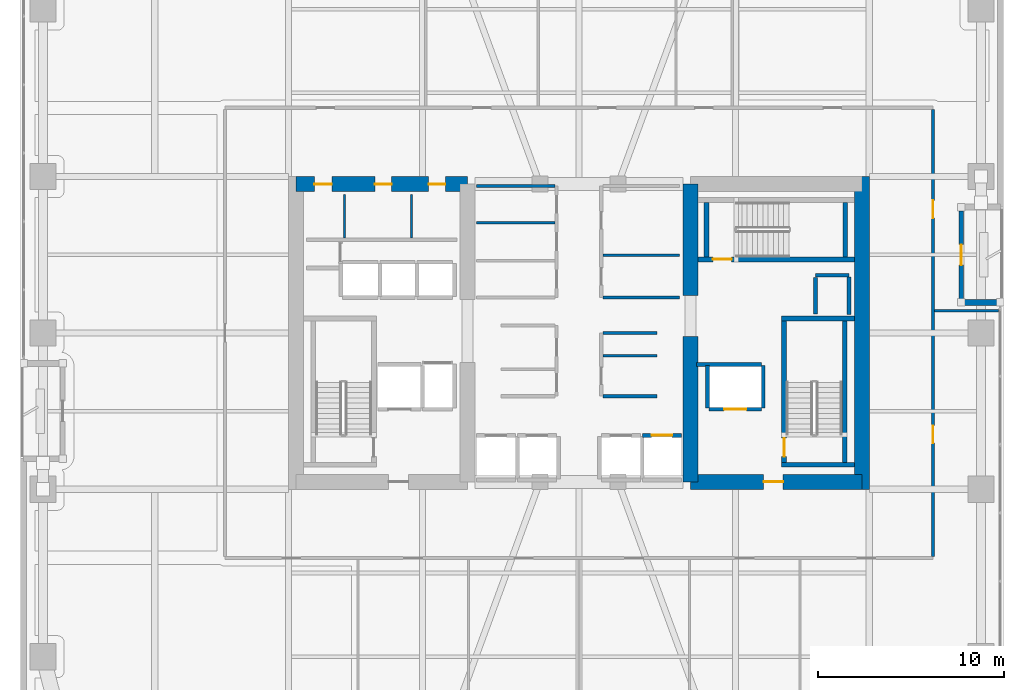
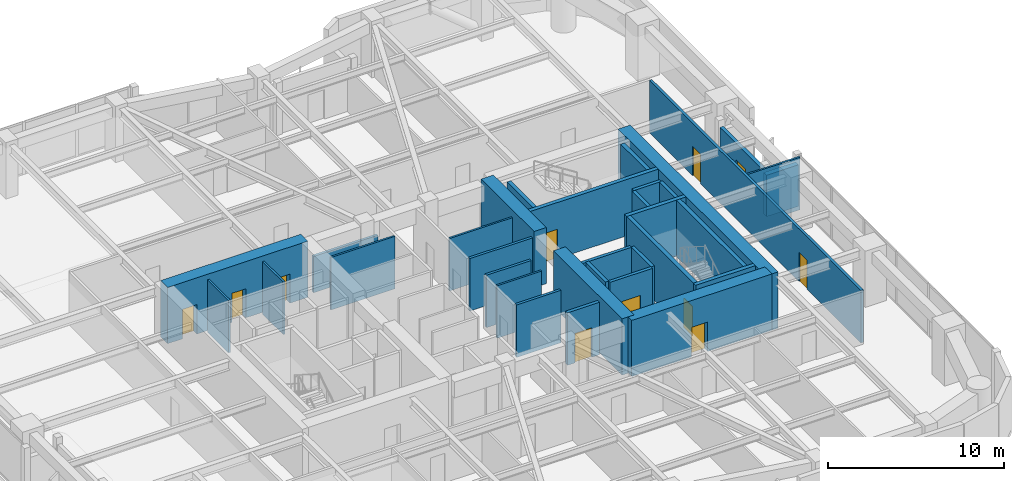
# One storey, part 20 of 24: 33 walls, 11 doors, 11 openings.
"""IFC4 building model written with IfcOpenShell, lengths in metres."""

from ifc_helpers import new_model, si_unit, direction, frame, frame_2d, origin, place, context, subcontext, project, spatial, rectangle, extrude, material, layer, layer_set, type_object, element, fill, save


model = new_model("IFC4")

# Units and contexts
model_context = context("Model", 3, precision=1e-05, world=origin(), true_north=direction((0.0, 1.0)))
body_context = subcontext(model_context, "Body", "Model", "MODEL_VIEW")
ifc_project = project(units=[si_unit("LENGTHUNIT", "METRE"), si_unit("AREAUNIT", "SQUARE_METRE"), si_unit("VOLUMEUNIT", "CUBIC_METRE"), si_unit("PLANEANGLEUNIT", "RADIAN"), si_unit("MASSUNIT", "GRAM", prefix="KILO")], contexts=[model_context])

# Site, building, storey
site_placement = place(None, origin())
site = spatial("IfcSite", under=ifc_project, at=site_placement, CompositionType="ELEMENT")
building_placement = place(site_placement, origin())
building = spatial("IfcBuilding", under=site, at=building_placement, Name="Kiyonajd Concourse Tower", CompositionType="ELEMENT")
storey_placement = place(building_placement, frame((0.0, 0.0, 97.5)))
storey = spatial("IfcBuildingStorey", under=building, at=storey_placement, Name="L25", CompositionType="ELEMENT", Elevation=97.5)

# Wall, openings, doors
ifc_material_1 = material(Name="Concrete C70/85", Category="concrete")
ifc_layer_1 = layer(ifc_material_1, 0.800048828125)
ifc_layer_set_1 = layer_set([ifc_layer_1], Name="Concrete C70/85")
wall_type_1 = type_object("IfcWallType", Name="WL-CORE-800", PredefinedType="SHEAR", material=ifc_layer_set_1)
wall_1_placement = place(storey_placement, frame((32.800048828125, 44.0, 0.0), z_axis=(0.0, 0.0, 1.0), x_axis=(1.0, 0.0, 0.0)))
wall_1 = element("IfcWall", 1, at=wall_1_placement, inside=storey, type_object=wall_type_1, Name="L25 West Core North Shear Wall", PredefinedType="SHEAR", context=body_context, shape_type="SweptSolid", body=[
    extrude(rectangle(XDim=9.199951171875, YDim=0.800048828125, at=frame_2d((4.60009765625, 0.0))), origin(), (0.0, 0.0, 1.0), 3.89990234375),
])
opening_1_placement = place(wall_1_placement, frame((0.97509765625, 0.0, 0.0)))
opening_1 = element("IfcOpeningElement", 2, at=opening_1_placement, cuts=wall_1, Name="Opening DI1", PredefinedType="OPENING", context=body_context, shape_type="SweptSolid", body=[
    extrude(rectangle(XDim=0.949951171875, YDim=2.0400390625, at=frame_2d((0.47509765625, 1.02001953125))), frame((0.0, 0.409912109375, 0.0), z_axis=(0.0, -1.0, 0.0), x_axis=(1.0, 0.0, 0.0)), (0.0, 0.0, 1.0), 0.820068359375),
])
opening_2_placement = place(wall_1_placement, frame((4.22509765625, 0.0, 0.0)))
opening_2 = element("IfcOpeningElement", 3, at=opening_2_placement, cuts=wall_1, Name="Opening DI2", PredefinedType="OPENING", context=body_context, shape_type="SweptSolid", body=[
    extrude(rectangle(XDim=0.89990234375, YDim=2.02001953125, at=frame_2d((0.449951171875, 1.010009765625))), frame((0.0, 0.409912109375, 0.0), z_axis=(0.0, -1.0, 0.0), x_axis=(1.0, 0.0, 0.0)), (0.0, 0.0, 1.0), 0.820068359375),
])
opening_3_placement = place(wall_1_placement, frame((7.125, 0.0, 0.0)))
opening_3 = element("IfcOpeningElement", 4, at=opening_3_placement, cuts=wall_1, Name="Opening DI2", PredefinedType="OPENING", context=body_context, shape_type="SweptSolid", body=[
    extrude(rectangle(XDim=0.89990234375, YDim=2.02001953125, at=frame_2d((0.449951171875, 1.010009765625))), frame((0.0, 0.409912109375, 0.0), z_axis=(0.0, -1.0, 0.0), x_axis=(1.0, 0.0, 0.0)), (0.0, 0.0, 1.0), 0.820068359375),
])
ifc_material_2 = material(Name="Natural Oak Acoustic Timber Veneer", Category="wood")
door_type_1 = type_object("IfcDoorType", Name="DR-INT-900", OperationType="NOTDEFINED", PredefinedType="DOOR", material=ifc_material_2)
door_1_placement = place(opening_2_placement, origin())
door_1 = element("IfcDoor", 5, at=door_1_placement, inside=storey, type_object=door_type_1, Name="L25 Male Restroom Door", OperationType="SINGLE_SWING_RIGHT", OverallHeight=2.02001953125, OverallWidth=0.89990234375, PredefinedType="DOOR", context=body_context, shape_type="SweptSolid", body=[
    extrude(rectangle(XDim=0.89990234375, YDim=2.02001953125, at=frame_2d((0.449951171875, 1.010009765625))), frame((0.0, 0.02490234375, 0.0), z_axis=(0.0, -1.0, 0.0), x_axis=(1.0, 0.0, 0.0)), (0.0, 0.0, 1.0), 0.050048828125),
])
fill(opening_2, door_1)
door_2_placement = place(opening_3_placement, origin())
door_2 = element("IfcDoor", 6, at=door_2_placement, inside=storey, type_object=door_type_1, Name="L25 Female Restroom Door", OperationType="SINGLE_SWING_LEFT", OverallHeight=2.02001953125, OverallWidth=0.89990234375, PredefinedType="DOOR", context=body_context, shape_type="SweptSolid", body=[
    extrude(rectangle(XDim=0.89990234375, YDim=2.02001953125, at=frame_2d((0.449951171875, 1.010009765625))), frame((0.0, 0.02490234375, 0.0), z_axis=(0.0, -1.0, 0.0), x_axis=(1.0, 0.0, 0.0)), (0.0, 0.0, 1.0), 0.050048828125),
])
fill(opening_3, door_2)
door_type_2 = type_object("IfcDoorType", Name="DR-INT-950", OperationType="NOTDEFINED", PredefinedType="DOOR", material=ifc_material_2)
door_3_placement = place(opening_1_placement, origin())
door_3 = element("IfcDoor", 7, at=door_3_placement, inside=storey, type_object=door_type_2, Name="L25 Single User Accessible WC Door", OperationType="SINGLE_SWING_LEFT", OverallHeight=2.0400390625, OverallWidth=0.949951171875, PredefinedType="DOOR", context=body_context, shape_type="SweptSolid", body=[
    extrude(rectangle(XDim=0.949951171875, YDim=2.0400390625, at=frame_2d((0.47509765625, 1.02001953125))), frame((0.0, 0.02490234375, 0.0), z_axis=(0.0, -1.0, 0.0), x_axis=(1.0, 0.0, 0.0)), (0.0, 0.0, 1.0), 0.050048828125),
])
fill(opening_1, door_3)

# Walls
wall_2_placement = place(storey_placement, frame((54.0, 28.0, 0.0), z_axis=(0.0, 0.0, 1.0), x_axis=(0.0, 1.0, 0.0)))
element("IfcWall", 8, at=wall_2_placement, inside=storey, type_object=wall_type_1, Name="L25 East Core Inner South Shear Wall", PredefinedType="SHEAR", context=body_context, shape_type="SweptSolid", body=[
    extrude(rectangle(XDim=7.800048828125, YDim=0.800048828125, at=frame_2d((3.89990234375, 0.0))), origin(), (0.0, 0.0, 1.0), 3.89990234375),
])
wall_3_placement = place(storey_placement, frame((54.0, 38.0, 0.0), z_axis=(0.0, 0.0, 1.0), x_axis=(0.0, 1.0, 0.0)))
element("IfcWall", 9, at=wall_3_placement, inside=storey, type_object=wall_type_1, Name="L25 East Core Inner North Shear Wall", PredefinedType="SHEAR", context=body_context, shape_type="SweptSolid", body=[
    extrude(rectangle(XDim=6.0, YDim=0.800048828125, at=frame_2d((3.0, 0.0))), origin(), (0.0, 0.0, 1.0), 3.89990234375),
])
wall_4_placement = place(storey_placement, frame((63.199951171875, 27.60009765625, 0.0), z_axis=(0.0, 0.0, 1.0), x_axis=(0.0, 1.0, 0.0)))
element("IfcWall", 10, at=wall_4_placement, inside=storey, type_object=wall_type_1, Name="L25 East Core Outer Shear Wall", PredefinedType="SHEAR", context=body_context, shape_type="SweptSolid", body=[
    extrude(rectangle(XDim=16.7998046875, YDim=0.800048828125, at=frame_2d((8.39990234375, 0.0))), origin(), (0.0, 0.0, 1.0), 3.89990234375),
])

# Wall, opening, door
wall_5_placement = place(storey_placement, frame((54.0, 28.0, 0.0), z_axis=(0.0, 0.0, 1.0), x_axis=(1.0, 0.0, 0.0)))
wall_5 = element("IfcWall", 11, at=wall_5_placement, inside=storey, type_object=wall_type_1, Name="L25 East Core South Shear Wall", PredefinedType="SHEAR", context=body_context, shape_type="SweptSolid", body=[
    extrude(rectangle(XDim=9.199951171875, YDim=0.800048828125, at=frame_2d((4.60009765625, 0.0))), origin(), (0.0, 0.0, 1.0), 3.89990234375),
])
opening_4_placement = place(wall_5_placement, frame((3.925048828125, 0.0, 0.0)))
opening_4 = element("IfcOpeningElement", 12, at=opening_4_placement, cuts=wall_5, Name="Opening DF5", PredefinedType="OPENING", context=body_context, shape_type="SweptSolid", body=[
    extrude(rectangle(XDim=1.050048828125, YDim=2.0400390625, at=frame_2d((0.52490234375, 1.02001953125))), frame((0.0, 0.409912109375, 0.0), z_axis=(0.0, -1.0, 0.0), x_axis=(1.0, 0.0, 0.0)), (0.0, 0.0, 1.0), 0.820068359375),
])
ifc_material_3 = material(Name="Brushed Stainless Steel Cab Assembly", Category="steel")
door_type_3 = type_object("IfcDoorType", Name="DR-FD45-1050", OperationType="NOTDEFINED", PredefinedType="DOOR", material=ifc_material_3)
door_4_placement = place(opening_4_placement, origin())
door_4 = element("IfcDoor", 13, at=door_4_placement, inside=storey, type_object=door_type_3, Name="L25 Firefighting Lift Lobby E Smoke Door", OperationType="SINGLE_SWING_RIGHT", OverallHeight=2.0400390625, OverallWidth=1.050048828125, PredefinedType="DOOR", context=body_context, shape_type="SweptSolid", body=[
    extrude(rectangle(XDim=1.050048828125, YDim=2.0400390625, at=frame_2d((0.52490234375, 1.02001953125))), frame((0.0, 0.02490234375, 0.0), z_axis=(0.0, -1.0, 0.0), x_axis=(1.0, 0.0, 0.0)), (0.0, 0.0, 1.0), 0.050048828125),
])
fill(opening_4, door_4)

# Wall
ifc_material_4 = material(Name="Precast concrete C50/60", Category="concrete")
ifc_layer_2 = layer(ifc_material_4, 0.320068359375)
ifc_layer_set_2 = layer_set([ifc_layer_2], Name="Precast concrete C50/60")
wall_type_2 = type_object("IfcWallType", Name="WL-EXT-320", PredefinedType="SOLIDWALL", material=ifc_layer_set_2)
wall_6_placement = place(storey_placement, frame((68.5400390625, 37.639892578125, 0.0), z_axis=(0.0, 0.0, 1.0), x_axis=(1.0, 0.0, 0.0)))
element("IfcWall", 14, at=wall_6_placement, inside=storey, type_object=wall_type_2, Name="L25 Exterior Concrete Frame Wall 23", PredefinedType="SOLIDWALL", context=body_context, shape_type="SweptSolid", body=[
    extrude(rectangle(XDim=2.099853515625, YDim=0.320068359375, at=frame_2d((1.0498046875, 0.0))), origin(), (0.0, 0.0, 1.0), 2.875),
])

# Wall, opening, door
ifc_layer_3 = layer(ifc_material_4, 0.239990234375)
ifc_layer_set_3 = layer_set([ifc_layer_3], Name="Precast concrete C50/60")
wall_type_3 = type_object("IfcWallType", Name="WL-LOG-240", PredefinedType="SOLIDWALL", material=ifc_layer_set_3)
wall_7_placement = place(storey_placement, frame((68.5400390625, 42.56494140625, 0.0), z_axis=(0.0, 0.0, 1.0), x_axis=(0.0, -1.0, 0.0)))
wall_7 = element("IfcWall", 15, at=wall_7_placement, inside=storey, type_object=wall_type_3, Name="L25 Recessed Loggia Thermal Wall LOG-E", PredefinedType="SOLIDWALL", context=body_context, shape_type="SweptSolid", body=[
    extrude(rectangle(XDim=4.72998046875, YDim=0.239990234375, at=frame_2d((2.364990234375, 0.0))), origin(), (0.0, 0.0, 1.0), 3.162109375),
])
opening_5_placement = place(wall_7_placement, frame((1.81494140625, 0.0, 0.0)))
opening_5 = element("IfcOpeningElement", 16, at=opening_5_placement, cuts=wall_7, Name="Opening DL2", PredefinedType="OPENING", context=body_context, shape_type="SweptSolid", body=[
    extrude(rectangle(XDim=1.10009765625, YDim=2.0400390625, at=frame_2d((0.550048828125, 1.02001953125))), frame((0.0, 0.1298828125, 0.0), z_axis=(0.0, -1.0, 0.0), x_axis=(1.0, 0.0, 0.0)), (0.0, 0.0, 1.0), 0.260009765625),
])
ifc_material_5 = material(Name="Thermally Broken Anodised Aluminium", Category="aluminium")
door_type_4 = type_object("IfcDoorType", Name="DR-LOG-1100", OperationType="NOTDEFINED", PredefinedType="DOOR", material=ifc_material_5)
door_5_placement = place(opening_5_placement, origin())
door_5 = element("IfcDoor", 17, at=door_5_placement, inside=storey, type_object=door_type_4, Name="L25 Engawa Loggia Access Door LOG-E", OperationType="SINGLE_SWING_LEFT", OverallHeight=2.0400390625, OverallWidth=1.10009765625, PredefinedType="DOOR", context=body_context, shape_type="SweptSolid", body=[
    extrude(rectangle(XDim=1.10009765625, YDim=2.0400390625, at=frame_2d((0.550048828125, 1.02001953125))), frame((0.0, 0.02490234375, 0.0), z_axis=(0.0, -1.0, 0.0), x_axis=(1.0, 0.0, 0.0)), (0.0, 0.0, 1.0), 0.050048828125),
])
fill(opening_5, door_5)

# Walls
ifc_material_6 = material(Name="Gypsum Board on Cold-Formed Steel Stud", Category="steel")
ifc_layer_4 = layer(ifc_material_6, 0.125)
ifc_layer_set_4 = layer_set([ifc_layer_4], Name="Gypsum Board on Cold-Formed Steel Stud")
wall_type_4 = type_object("IfcWallType", Name="WL-PART-125", PredefinedType="PARTITIONING", material=ifc_layer_set_4)
for number, where, z_axis, x_axis, name in (
    (18, (35.39990234375, 41.094970703125, 0.0), (0.0, 0.0, 1.0), (0.0, 1.0, 0.0), "L25 Interior Partition Wall"),
    (19, (39.0, 41.094970703125, 0.0), (0.0, 0.0, 1.0), (0.0, 1.0, 0.0), "L25 Interior Partition Wall"),
):
    element("IfcWall", number, at=place(storey_placement, frame(where, z_axis=z_axis, x_axis=x_axis)), inside=storey, type_object=wall_type_4, Name=name, PredefinedType="PARTITIONING", context=body_context, shape_type="SweptSolid", body=[
        extrude(rectangle(XDim=2.35498046875, YDim=0.125, at=frame_2d((1.177490234375, 0.0))), origin(), (0.0, 0.0, 1.0), 3.639892578125),
    ])
wall_8_placement = place(storey_placement, frame((49.287109375, 34.77587890625, 0.0), z_axis=(0.0, 0.0, 1.0), x_axis=(1.0, 0.0, 0.0)))
element("IfcWall", 20, at=wall_8_placement, inside=storey, type_object=wall_type_4, Name="L25 Interior Partition Wall", PredefinedType="PARTITIONING", context=body_context, shape_type="SweptSolid", body=[
    extrude(rectangle(XDim=2.912841796875, YDim=0.125, at=frame_2d((1.45654296875, 0.0))), origin(), (0.0, 0.0, 1.0), 3.639892578125),
])
wall_9_placement = place(storey_placement, frame((42.5, 41.919921875, 0.0), z_axis=(0.0, 0.0, 1.0), x_axis=(1.0, 0.0, 0.0)))
element("IfcWall", 21, at=wall_9_placement, inside=storey, type_object=wall_type_4, Name="L25 Interior Partition Wall", PredefinedType="PARTITIONING", context=body_context, shape_type="SweptSolid", body=[
    extrude(rectangle(XDim=4.212890625, YDim=0.125, at=frame_2d((2.1064453125, 0.0))), origin(), (0.0, 0.0, 1.0), 3.639892578125),
])
wall_10_placement = place(storey_placement, frame((49.287109375, 40.179931640625, 0.0), z_axis=(0.0, 0.0, 1.0), x_axis=(1.0, 0.0, 0.0)))
element("IfcWall", 22, at=wall_10_placement, inside=storey, type_object=wall_type_4, Name="L25 Interior Partition Wall", PredefinedType="PARTITIONING", context=body_context, shape_type="SweptSolid", body=[
    extrude(rectangle(XDim=4.11279296875, YDim=0.125, at=frame_2d((2.056396484375, 0.0))), origin(), (0.0, 0.0, 1.0), 3.639892578125),
])
wall_11_placement = place(storey_placement, frame((67.112060546875, 37.199951171875, 0.0), z_axis=(0.0, 0.0, 1.0), x_axis=(1.0, 0.0, 0.0)))
element("IfcWall", 23, at=wall_11_placement, inside=storey, type_object=wall_type_4, Name="L25 Interior Partition Wall", PredefinedType="PARTITIONING", context=body_context, shape_type="SweptSolid", body=[
    extrude(rectangle(XDim=3.44287109375, YDim=0.125, at=frame_2d((1.721435546875, 0.0))), origin(), (0.0, 0.0, 1.0), 3.639892578125),
])
ifc_layer_5 = layer(ifc_material_6, 0.2099609375)
ifc_layer_set_5 = layer_set([ifc_layer_5], Name="Gypsum Board on Cold-Formed Steel Stud")
wall_type_5 = type_object("IfcWallType", Name="WL-SHAFT-210", PredefinedType="PARTITIONING", material=ifc_layer_set_5)
wall_12_placement = place(storey_placement, frame((60.719970703125, 39.10009765625, 0.0), z_axis=(0.0, 0.0, 1.0), x_axis=(1.0, 0.0, 0.0)))
element("IfcWall", 24, at=wall_12_placement, inside=storey, type_object=wall_type_5, Name="L25 Shaft Enclosure Wall", PredefinedType="PARTITIONING", context=body_context, shape_type="SweptSolid", body=[
    extrude(rectangle(XDim=1.800048828125, YDim=0.2099609375, at=frame_2d((0.89990234375, 0.0))), origin(), (0.0, 0.0, 1.0), 3.639892578125),
])
wall_13_placement = place(storey_placement, frame((60.699951171875, 37.02001953125, 0.0), z_axis=(0.0, 0.0, 1.0), x_axis=(0.0, 1.0, 0.0)))
element("IfcWall", 25, at=wall_13_placement, inside=storey, type_object=wall_type_5, Name="L25 Shaft Enclosure Wall", PredefinedType="PARTITIONING", context=body_context, shape_type="SweptSolid", body=[
    extrude(rectangle(XDim=1.9599609375, YDim=0.2099609375, at=frame_2d((0.97998046875, 0.0))), origin(), (0.0, 0.0, 1.0), 3.639892578125),
])
wall_14_placement = place(storey_placement, frame((62.5, 36.97998046875, 0.0), z_axis=(0.0, 0.0, 1.0), x_axis=(0.0, 1.0, 0.0)))
element("IfcWall", 26, at=wall_14_placement, inside=storey, type_object=wall_type_5, Name="L25 Shaft Enclosure Wall", PredefinedType="PARTITIONING", context=body_context, shape_type="SweptSolid", body=[
    extrude(rectangle(XDim=2.0400390625, YDim=0.2099609375, at=frame_2d((1.02001953125, 0.0))), origin(), (0.0, 0.0, 1.0), 3.639892578125),
])

# Wall, opening, door
wall_15_placement = place(storey_placement, frame((55.0, 31.89990234375, 0.0), z_axis=(0.0, 0.0, 1.0), x_axis=(1.0, 0.0, 0.0)))
wall_15 = element("IfcWall", 27, at=wall_15_placement, inside=storey, type_object=wall_type_5, Name="L25 Shaft Enclosure Wall", PredefinedType="PARTITIONING", context=body_context, shape_type="SweptSolid", body=[
    extrude(rectangle(XDim=2.800048828125, YDim=0.2099609375, at=frame_2d((1.39990234375, 0.0))), origin(), (0.0, 0.0, 1.0), 3.639892578125),
])
opening_6_placement = place(wall_15_placement, frame((0.800048828125, 0.0, 0.0)))
opening_6 = element("IfcOpeningElement", 28, at=opening_6_placement, cuts=wall_15, Name="Opening LD2", PredefinedType="OPENING", context=body_context, shape_type="SweptSolid", body=[
    extrude(rectangle(XDim=1.199951171875, YDim=2.0400390625, at=frame_2d((0.60009765625, 1.02001953125))), frame((0.0, 0.114990234375, 0.0), z_axis=(0.0, -1.0, 0.0), x_axis=(1.0, 0.0, 0.0)), (0.0, 0.0, 1.0), 0.22998046875),
])
door_type_5 = type_object("IfcDoorType", Name="DR-LD-1200", OperationType="DOUBLE_DOOR_SLIDING", PredefinedType="DOOR", material=ifc_material_3)
door_6_placement = place(opening_6_placement, origin())
door_6 = element("IfcDoor", 29, at=door_6_placement, inside=storey, type_object=door_type_5, Name="L25 Lift FFL2 Sliding Landing Door", OperationType="DOUBLE_DOOR_SLIDING", OverallHeight=2.0400390625, OverallWidth=1.199951171875, PredefinedType="DOOR", context=body_context, shape_type="SweptSolid", body=[
    extrude(rectangle(XDim=1.199951171875, YDim=2.0400390625, at=frame_2d((0.60009765625, 1.02001953125))), frame((0.0, 0.02490234375, 0.0), z_axis=(0.0, -1.0, 0.0), x_axis=(1.0, 0.0, 0.0)), (0.0, 0.0, 1.0), 0.050048828125),
])
fill(opening_6, door_6)

# Walls
wall_16_placement = place(storey_placement, frame((54.320068359375, 34.300048828125, 0.0), z_axis=(0.0, 0.0, 1.0), x_axis=(1.0, 0.0, 0.0)))
element("IfcWall", 30, at=wall_16_placement, inside=storey, type_object=wall_type_5, Name="L25 Shaft Enclosure Wall", PredefinedType="PARTITIONING", context=body_context, shape_type="SweptSolid", body=[
    extrude(rectangle(XDim=3.47998046875, YDim=0.2099609375, at=frame_2d((1.739990234375, 0.0))), origin(), (0.0, 0.0, 1.0), 3.639892578125),
])
for number, where, z_axis, x_axis, name in (
    (31, (54.89990234375, 31.9599609375, 0.0), (0.0, 0.0, 1.0), (0.0, 1.0, 0.0), "L25 Shaft Enclosure Wall"),
    (32, (57.89990234375, 31.9599609375, 0.0), (0.0, 0.0, 1.0), (0.0, 1.0, 0.0), "L25 Shaft Enclosure Wall"),
):
    element("IfcWall", number, at=place(storey_placement, frame(where, z_axis=z_axis, x_axis=x_axis)), inside=storey, type_object=wall_type_5, Name=name, PredefinedType="PARTITIONING", context=body_context, shape_type="SweptSolid", body=[
        extrude(rectangle(XDim=2.280029296875, YDim=0.2099609375, at=frame_2d((1.14013671875, 0.0))), origin(), (0.0, 0.0, 1.0), 3.639892578125),
    ])

# Wall, opening, door
wall_17_placement = place(storey_placement, frame((51.39990234375, 30.5, 0.0), z_axis=(0.0, 0.0, 1.0), x_axis=(1.0, 0.0, 0.0)))
wall_17 = element("IfcWall", 33, at=wall_17_placement, inside=storey, type_object=wall_type_5, Name="L25 Shaft Enclosure Wall", PredefinedType="PARTITIONING", context=body_context, shape_type="SweptSolid", body=[
    extrude(rectangle(XDim=2.10009765625, YDim=0.2099609375, at=frame_2d((1.050048828125, 0.0))), origin(), (0.0, 0.0, 1.0), 3.639892578125),
])
opening_7_placement = place(wall_17_placement, frame((0.5, 0.0, 0.0)))
opening_7 = element("IfcOpeningElement", 34, at=opening_7_placement, cuts=wall_17, Name="Opening LD1", PredefinedType="OPENING", context=body_context, shape_type="SweptSolid", body=[
    extrude(rectangle(XDim=1.10009765625, YDim=2.0400390625, at=frame_2d((0.550048828125, 1.02001953125))), frame((0.0, 0.114990234375, 0.0), z_axis=(0.0, -1.0, 0.0), x_axis=(1.0, 0.0, 0.0)), (0.0, 0.0, 1.0), 0.22998046875),
])
door_type_6 = type_object("IfcDoorType", Name="DR-LD-1100", OperationType="DOUBLE_DOOR_SLIDING", PredefinedType="DOOR", material=ifc_material_3)
door_7_placement = place(opening_7_placement, origin())
door_7 = element("IfcDoor", 35, at=door_7_placement, inside=storey, type_object=door_type_6, Name="L25 Lift PL-L4 Sliding Landing Door", OperationType="DOUBLE_DOOR_SLIDING", OverallHeight=2.0400390625, OverallWidth=1.10009765625, PredefinedType="DOOR", context=body_context, shape_type="SweptSolid", body=[
    extrude(rectangle(XDim=1.10009765625, YDim=2.0400390625, at=frame_2d((0.550048828125, 1.02001953125))), frame((0.0, 0.02490234375, 0.0), z_axis=(0.0, -1.0, 0.0), x_axis=(1.0, 0.0, 0.0)), (0.0, 0.0, 1.0), 0.050048828125),
])
fill(opening_7, door_7)

# Walls
ifc_layer_6 = layer(ifc_material_6, 0.169921875)
ifc_layer_set_6 = layer_set([ifc_layer_6], Name="Gypsum Board on Cold-Formed Steel Stud")
wall_type_6 = type_object("IfcWallType", Name="WL-SMK-170", PredefinedType="PARTITIONING", material=ifc_layer_set_6)
for number, where, z_axis, x_axis, name in (
    (36, (49.287109375, 32.60009765625, 0.0), (0.0, 0.0, 1.0), (1.0, 0.0, 0.0), "L25 Interior Partition Wall"),
    (37, (49.287109375, 36.0, 0.0), (0.0, 0.0, 1.0), (1.0, 0.0, 0.0), "L25 Interior Partition Wall"),
):
    element("IfcWall", number, at=place(storey_placement, frame(where, z_axis=z_axis, x_axis=x_axis)), inside=storey, type_object=wall_type_6, Name=name, PredefinedType="PARTITIONING", context=body_context, shape_type="SweptSolid", body=[
        extrude(rectangle(XDim=2.912841796875, YDim=0.169921875, at=frame_2d((1.45654296875, 0.0))), origin(), (0.0, 0.0, 1.0), 3.639892578125),
    ])
wall_18_placement = place(storey_placement, frame((42.5, 43.89990234375, 0.0), z_axis=(0.0, 0.0, 1.0), x_axis=(1.0, 0.0, 0.0)))
element("IfcWall", 38, at=wall_18_placement, inside=storey, type_object=wall_type_6, Name="L25 Interior Partition Wall", PredefinedType="PARTITIONING", context=body_context, shape_type="SweptSolid", body=[
    extrude(rectangle(XDim=4.212890625, YDim=0.169921875, at=frame_2d((2.1064453125, 0.0))), origin(), (0.0, 0.0, 1.0), 2.52490234375),
])
wall_19_placement = place(storey_placement, frame((49.287109375, 37.89990234375, 0.0), z_axis=(0.0, 0.0, 1.0), x_axis=(1.0, 0.0, 0.0)))
element("IfcWall", 39, at=wall_19_placement, inside=storey, type_object=wall_type_6, Name="L25 Interior Partition Wall", PredefinedType="PARTITIONING", context=body_context, shape_type="SweptSolid", body=[
    extrude(rectangle(XDim=4.11279296875, YDim=0.169921875, at=frame_2d((2.056396484375, 0.0))), origin(), (0.0, 0.0, 1.0), 3.639892578125),
])

# Wall, openings, doors
wall_20_placement = place(storey_placement, frame((67.02490234375, 23.987060546875, 0.0), z_axis=(0.0, 0.0, 1.0), x_axis=(0.0, 1.0, 0.0)))
wall_20 = element("IfcWall", 40, at=wall_20_placement, inside=storey, type_object=wall_type_6, Name="L25 Interior Partition Wall", PredefinedType="PARTITIONING", context=body_context, shape_type="SweptSolid", body=[
    extrude(rectangle(XDim=24.02587890625, YDim=0.169921875, at=frame_2d((12.012939453125, 0.0))), origin(), (0.0, 0.0, 1.0), 3.639892578125),
])
opening_8_placement = place(wall_20_placement, frame((6.087890625, 0.0, 0.0)))
opening_8 = element("IfcOpeningElement", 41, at=opening_8_placement, cuts=wall_20, Name="Opening DI1", PredefinedType="OPENING", context=body_context, shape_type="SweptSolid", body=[
    extrude(rectangle(XDim=0.949951171875, YDim=2.0400390625, at=frame_2d((0.47509765625, 1.02001953125))), frame((0.0, 0.094970703125, 0.0), z_axis=(0.0, -1.0, 0.0), x_axis=(1.0, 0.0, 0.0)), (0.0, 0.0, 1.0), 0.18994140625),
])
opening_9_placement = place(wall_20_placement, frame((18.18798828125, 0.0, 0.0)))
opening_9 = element("IfcOpeningElement", 42, at=opening_9_placement, cuts=wall_20, Name="Opening DI1", PredefinedType="OPENING", context=body_context, shape_type="SweptSolid", body=[
    extrude(rectangle(XDim=0.949951171875, YDim=2.0400390625, at=frame_2d((0.47509765625, 1.02001953125))), frame((0.0, 0.094970703125, 0.0), z_axis=(0.0, -1.0, 0.0), x_axis=(1.0, 0.0, 0.0)), (0.0, 0.0, 1.0), 0.18994140625),
])
door_8_placement = place(opening_8_placement, origin())
door_8 = element("IfcDoor", 43, at=door_8_placement, inside=storey, type_object=door_type_2, Name="L25 Interior Door", OperationType="SINGLE_SWING_LEFT", OverallHeight=2.0400390625, OverallWidth=0.949951171875, PredefinedType="DOOR", context=body_context, shape_type="SweptSolid", body=[
    extrude(rectangle(XDim=0.949951171875, YDim=2.0400390625, at=frame_2d((0.47509765625, 1.02001953125))), frame((0.0, 0.02490234375, 0.0), z_axis=(0.0, -1.0, 0.0), x_axis=(1.0, 0.0, 0.0)), (0.0, 0.0, 1.0), 0.050048828125),
])
fill(opening_8, door_8)
door_9_placement = place(opening_9_placement, origin())
door_9 = element("IfcDoor", 44, at=door_9_placement, inside=storey, type_object=door_type_2, Name="L25 Interior Door", OperationType="SINGLE_SWING_RIGHT", OverallHeight=2.0400390625, OverallWidth=0.949951171875, PredefinedType="DOOR", context=body_context, shape_type="SweptSolid", body=[
    extrude(rectangle(XDim=0.949951171875, YDim=2.0400390625, at=frame_2d((0.47509765625, 1.02001953125))), frame((0.0, 0.02490234375, 0.0), z_axis=(0.0, -1.0, 0.0), x_axis=(1.0, 0.0, 0.0)), (0.0, 0.0, 1.0), 0.050048828125),
])
fill(opening_9, door_9)

# Walls
ifc_material_7 = material(Name="Concrete C50/60", Category="concrete")
ifc_layer_7 = layer(ifc_material_7, 0.260009765625)
ifc_layer_set_7 = layer_set([ifc_layer_7], Name="Concrete C50/60")
wall_type_7 = type_object("IfcWallType", Name="WL-STAIR-260", PredefinedType="SHEAR", material=ifc_layer_set_7)
for number, where, z_axis, x_axis, name in (
    (45, (58.889892578125, 28.919921875, 0.0), (0.0, 0.0, 1.0), (1.0, 0.0, 0.0), "L25 Stair ST2 Structural South Wall"),
    (46, (58.889892578125, 36.780029296875, 0.0), (0.0, 0.0, 1.0), (1.0, 0.0, 0.0), "L25 Stair ST2 Structural North Wall"),
):
    element("IfcWall", number, at=place(storey_placement, frame(where, z_axis=z_axis, x_axis=x_axis)), inside=storey, type_object=wall_type_7, Name=name, PredefinedType="SHEAR", context=body_context, shape_type="SweptSolid", body=[
        extrude(rectangle(XDim=3.91015625, YDim=0.260009765625, at=frame_2d((1.955078125, 0.0))), origin(), (0.0, 0.0, 1.0), 3.89990234375),
    ])

# Wall, opening, door
wall_21_placement = place(storey_placement, frame((59.02001953125, 29.050048828125, 0.0), z_axis=(0.0, 0.0, 1.0), x_axis=(0.0, 1.0, 0.0)))
wall_21 = element("IfcWall", 47, at=wall_21_placement, inside=storey, type_object=wall_type_7, Name="L25 Stair ST2 Structural West Wall", PredefinedType="SHEAR", context=body_context, shape_type="SweptSolid", body=[
    extrude(rectangle(XDim=7.599853515625, YDim=0.260009765625, at=frame_2d((3.7998046875, 0.0))), origin(), (0.0, 0.0, 1.0), 3.89990234375),
])
opening_10_placement = place(wall_21_placement, frame((0.300048828125, 0.0, 0.0)))
opening_10 = element("IfcOpeningElement", 48, at=opening_10_placement, cuts=wall_21, Name="Opening DF1", PredefinedType="OPENING", context=body_context, shape_type="SweptSolid", body=[
    extrude(rectangle(XDim=1.0, YDim=2.0400390625, at=frame_2d((0.5, 1.02001953125))), frame((0.0, 0.139892578125, 0.0), z_axis=(0.0, -1.0, 0.0), x_axis=(1.0, 0.0, 0.0)), (0.0, 0.0, 1.0), 0.280029296875),
])
door_type_7 = type_object("IfcDoorType", Name="DR-FD90-1000", OperationType="NOTDEFINED", PredefinedType="DOOR", material=ifc_material_3)
door_10_placement = place(opening_10_placement, origin())
door_10 = element("IfcDoor", 49, at=door_10_placement, inside=storey, type_object=door_type_7, Name="L25 Stair ST2 FSAE Door", OperationType="SINGLE_SWING_RIGHT", OverallHeight=2.0400390625, OverallWidth=1.0, PredefinedType="DOOR", context=body_context, shape_type="SweptSolid", body=[
    extrude(rectangle(XDim=1.0, YDim=2.0400390625, at=frame_2d((0.5, 1.02001953125))), frame((0.0, 0.02490234375, 0.0), z_axis=(0.0, -1.0, 0.0), x_axis=(1.0, 0.0, 0.0)), (0.0, 0.0, 1.0), 0.050048828125),
])
fill(opening_10, door_10)

# Wall
wall_22_placement = place(storey_placement, frame((62.280029296875, 29.050048828125, 0.0), z_axis=(0.0, 0.0, 1.0), x_axis=(0.0, 1.0, 0.0)))
element("IfcWall", 50, at=wall_22_placement, inside=storey, type_object=wall_type_7, Name="L25 Stair ST2 Structural East Wall", PredefinedType="SHEAR", context=body_context, shape_type="SweptSolid", body=[
    extrude(rectangle(XDim=7.599853515625, YDim=0.260009765625, at=frame_2d((3.7998046875, 0.0))), origin(), (0.0, 0.0, 1.0), 3.89990234375),
])

# Wall, opening, door
wall_23_placement = place(storey_placement, frame((54.39990234375, 39.949951171875, 0.0), z_axis=(0.0, 0.0, 1.0), x_axis=(1.0, 0.0, 0.0)))
wall_23 = element("IfcWall", 51, at=wall_23_placement, inside=storey, type_object=wall_type_7, Name="L25 Stair ST3 Structural South Wall", PredefinedType="SHEAR", context=body_context, shape_type="SweptSolid", body=[
    extrude(rectangle(XDim=8.400146484375, YDim=0.260009765625, at=frame_2d((4.2001953125, 0.0))), origin(), (0.0, 0.0, 1.0), 3.89990234375),
])
opening_11_placement = place(wall_23_placement, frame((0.800048828125, 0.0, 0.0)))
opening_11 = element("IfcOpeningElement", 52, at=opening_11_placement, cuts=wall_23, Name="Opening DF1", PredefinedType="OPENING", context=body_context, shape_type="SweptSolid", body=[
    extrude(rectangle(XDim=1.0, YDim=2.0400390625, at=frame_2d((0.5, 1.02001953125))), frame((0.0, 0.139892578125, 0.0), z_axis=(0.0, -1.0, 0.0), x_axis=(1.0, 0.0, 0.0)), (0.0, 0.0, 1.0), 0.280029296875),
])
door_11_placement = place(opening_11_placement, origin())
door_11 = element("IfcDoor", 53, at=door_11_placement, inside=storey, type_object=door_type_7, Name="L25 Stair ST3 Enclosure Door", OperationType="SINGLE_SWING_LEFT", OverallHeight=2.0400390625, OverallWidth=1.0, PredefinedType="DOOR", context=body_context, shape_type="SweptSolid", body=[
    extrude(rectangle(XDim=1.0, YDim=2.0400390625, at=frame_2d((0.5, 1.02001953125))), frame((0.0, 0.02490234375, 0.0), z_axis=(0.0, -1.0, 0.0), x_axis=(1.0, 0.0, 0.0)), (0.0, 0.0, 1.0), 0.050048828125),
])
fill(opening_11, door_11)

# Walls
for number, where, z_axis, x_axis, name in (
    (54, (54.85009765625, 40.080078125, 0.0), (0.0, 0.0, 1.0), (0.0, 1.0, 0.0), "L25 Stair ST3 Structural West Wall"),
    (55, (62.31005859375, 40.080078125, 0.0), (0.0, 0.0, 1.0), (0.0, 1.0, 0.0), "L25 Stair ST3 Structural East Wall"),
):
    element("IfcWall", number, at=place(storey_placement, frame(where, z_axis=z_axis, x_axis=x_axis)), inside=storey, type_object=wall_type_7, Name=name, PredefinedType="SHEAR", context=body_context, shape_type="SweptSolid", body=[
        extrude(rectangle(XDim=2.93994140625, YDim=0.260009765625, at=frame_2d((1.469970703125, 0.0))), origin(), (0.0, 0.0, 1.0), 3.89990234375),
    ])

save(model, "model.ifc")
